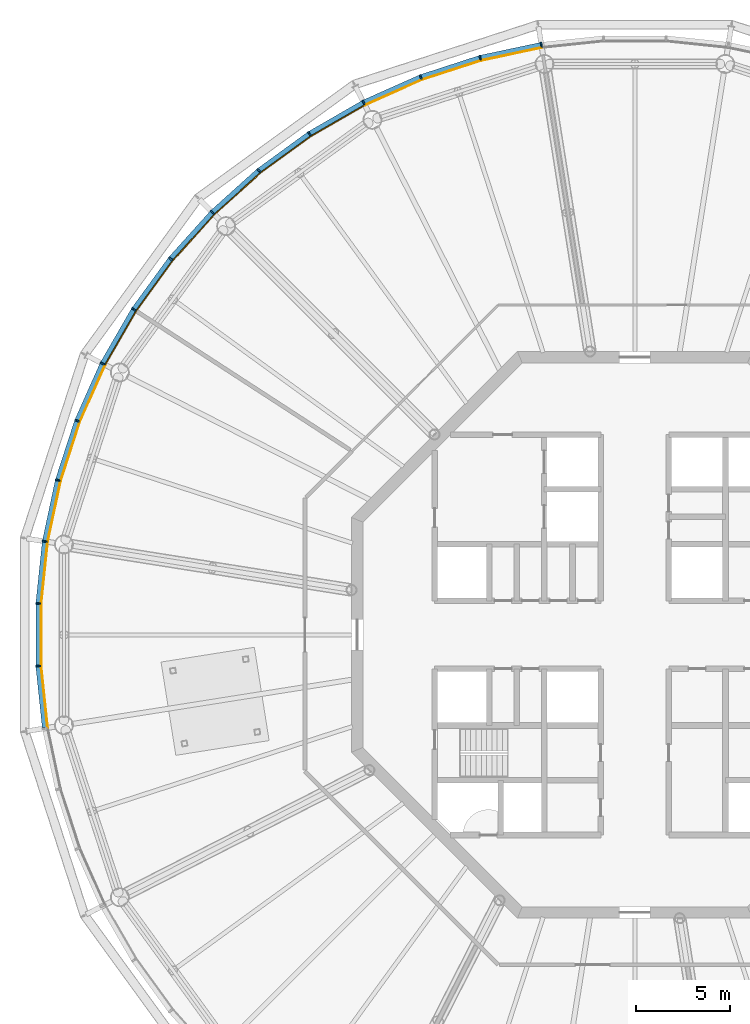
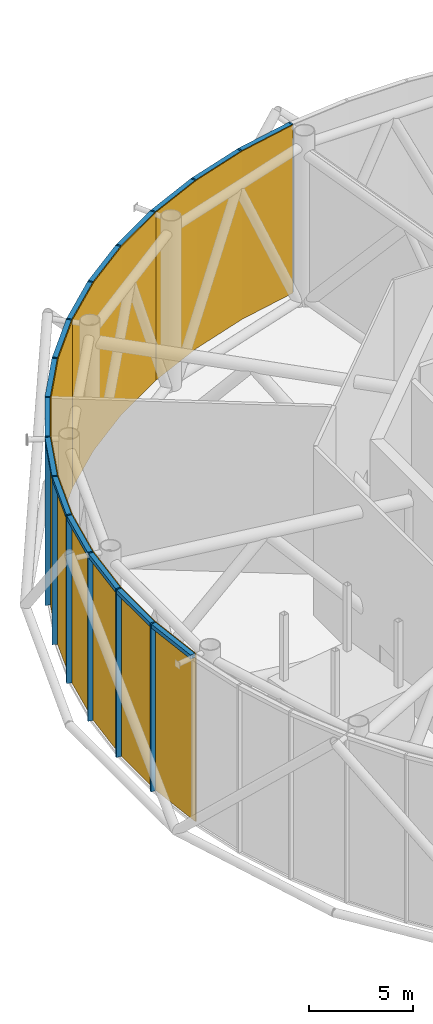
# One storey, part 20 of 23: 30 members, 5 curtain walls.
"""IFC4 building model written with IfcOpenShell, lengths in metres."""

import ifcopenshell
import ifcopenshell.guid

model = None  # the IFC model being written
_history = None  # IfcOwnerHistory: only IFC2X3 demands one
_inside = {}  # id of a spatial element -> (the spatial element, [elements in it])
_under = {}  # id of a project, library or spatial element -> (it, [spatial elements below it])
_declared = {}  # id of a project -> (the project, [libraries it declares])
_typed = {}  # id of a type object -> (the type object, [elements of that type])
_made_of = {}  # id of a material, layer set ... -> (it, [elements and type objects made of it])


def new_model(schema):
    """Start an empty IFC model of exactly this schema.

    Asked for "IFC4X3", IfcOpenShell would pick the latest addendum, in which some entities
    have other attributes; the version numbers below select the first issue.
    IFC2X3 requires an IfcOwnerHistory on every rooted entity: one is made here for all.
    """
    global model, _history
    if schema == "IFC4X3":
        model = ifcopenshell.file(schema_version=(4, 3, 0, 0))
    else:
        model = ifcopenshell.file(schema=schema)
    _inside.clear()
    _under.clear()
    _declared.clear()
    _typed.clear()
    _made_of.clear()
    _history = None
    if model.schema == "IFC2X3":
        org = make("IfcOrganization", Name="unknown")
        user = make(
            "IfcPersonAndOrganization",
            ThePerson=make("IfcPerson", FamilyName="unknown"),
            TheOrganization=org,
        )
        app = make(
            "IfcApplication",
            ApplicationDeveloper=org,
            Version="unknown",
            ApplicationFullName="unknown",
            ApplicationIdentifier="unknown",
        )
        _history = make(
            "IfcOwnerHistory",
            OwningUser=user,
            OwningApplication=app,
            ChangeAction="ADDED",
            CreationDate=0,
        )
    return model


def make(cls, **values):
    """One entity of the class cls with the attributes given. An attribute that is None is left unset."""
    return model.create_entity(
        cls, **{name: value for name, value in values.items() if value is not None}
    )


def rooted(cls, **values):
    """An entity with a GlobalId (a new one), such as an element, a storey or a relation."""
    return make(cls, GlobalId=ifcopenshell.guid.new(), OwnerHistory=_history, **values)


def si_unit(unit_type, name, prefix=None):
    """IfcSIUnit, for example si_unit("LENGTHUNIT", "METRE", prefix="MILLI")."""
    return make("IfcSIUnit", UnitType=unit_type, Prefix=prefix, Name=name)


def assignment(units):
    """IfcUnitAssignment: the units of a project."""
    return None if units is None else make("IfcUnitAssignment", Units=units)


def point(xyz):
    """IfcCartesianPoint."""
    return None if xyz is None else make("IfcCartesianPoint", Coordinates=xyz)


def direction(xyz):
    """IfcDirection."""
    return None if xyz is None else make("IfcDirection", DirectionRatios=xyz)


def frame(location, z_axis=None, x_axis=None):
    """IfcAxis2Placement3D, a coordinate frame: its origin and axes. An axis left out is left unset."""
    return make(
        "IfcAxis2Placement3D",
        Location=point(location),
        Axis=direction(z_axis),
        RefDirection=direction(x_axis),
    )


def frame_2d(location, x_axis=None):
    """IfcAxis2Placement2D, a coordinate frame in the plane: its origin and x axis."""
    return make(
        "IfcAxis2Placement2D", Location=point(location), RefDirection=direction(x_axis)
    )


def origin():
    """The frame at (0, 0, 0) with its axes left unset."""
    return frame((0.0, 0.0, 0.0))


def origin_2d():
    """The frame at (0, 0) in the plane with its x axis left unset."""
    return frame_2d((0.0, 0.0))


def place(relative_to, where):
    """IfcLocalPlacement: puts the frame where relative to a parent placement (None: the world)."""
    return make(
        "IfcLocalPlacement", PlacementRelTo=relative_to, RelativePlacement=where
    )


def context(
    kind, dimensions, precision=None, world=None, true_north=None, identifier=None
):
    """IfcGeometricRepresentationContext, for example the 3D "Model" context."""
    return make(
        "IfcGeometricRepresentationContext",
        ContextIdentifier=identifier,
        ContextType=kind,
        CoordinateSpaceDimension=dimensions,
        Precision=precision,
        WorldCoordinateSystem=world,
        TrueNorth=true_north,
    )


def subcontext(parent, identifier, kind, view, scale=None):
    """IfcGeometricRepresentationSubContext, for example "Body" below "Model"."""
    return make(
        "IfcGeometricRepresentationSubContext",
        ContextIdentifier=identifier,
        ContextType=kind,
        ParentContext=parent,
        TargetScale=scale,
        TargetView=view,
    )


def project(units=None, contexts=None):
    """IfcProject with its units and contexts."""
    return rooted(
        "IfcProject",
        Name="project",
        RepresentationContexts=contexts,
        UnitsInContext=assignment(units),
    )


def spatial(cls, under=None, at=None, **own):
    """A site, building, storey or space (cls), placed at a placement, below another one or the project."""
    s = rooted(cls, ObjectPlacement=at, **own)
    if under is not None:
        _under.setdefault(under.id(), (under, []))[1].append(s)
    return s


def polyline(points):
    """IfcPolyline through the points."""
    return make("IfcPolyline", Points=[point(p) for p in points])


def profile(cls, at=None, kind="AREA", **sizes):
    """A parametric profile (cls). Its sizes go by their IFC names, for example OverallWidth=200.0."""
    return make(cls, ProfileType=kind, Position=at, **sizes)


def rectangle(**sizes):
    """IfcRectangleProfileDef."""
    return profile("IfcRectangleProfileDef", **sizes)


def outline(outer, holes=None, kind="AREA"):
    """IfcArbitraryClosedProfileDef: a profile drawn as a closed curve; with holes, ...WithVoids."""
    if holes is None:
        return make("IfcArbitraryClosedProfileDef", ProfileType=kind, OuterCurve=outer)
    return make(
        "IfcArbitraryProfileDefWithVoids",
        ProfileType=kind,
        OuterCurve=outer,
        InnerCurves=holes,
    )


def extrude(swept, where, along, depth):
    """IfcExtrudedAreaSolid: the profile swept, set in the frame where, extruded along a direction by depth."""
    return make(
        "IfcExtrudedAreaSolid",
        SweptArea=swept,
        Position=where,
        ExtrudedDirection=direction(along),
        Depth=depth,
    )


def shape(context_of_items, identifier, shape_type, items):
    """IfcShapeRepresentation: the items that make up one representation, for example the "Body"."""
    return make(
        "IfcShapeRepresentation",
        ContextOfItems=context_of_items,
        RepresentationIdentifier=identifier,
        RepresentationType=shape_type,
        Items=items,
    )


def material(Name=None, Category=None):
    """IfcMaterial."""
    return make("IfcMaterial", Name=Name, Category=Category)


def layer(
    of_material, thickness, ventilated=None, Name=None, Category=None, Priority=None
):
    """IfcMaterialLayer: one layer of a wall or slab, of a material (None: an air gap)."""
    return make(
        "IfcMaterialLayer",
        Material=of_material,
        LayerThickness=thickness,
        IsVentilated=ventilated,
        Name=Name,
        Category=Category,
        Priority=Priority,
    )


def layer_set(layers, Name=None):
    """IfcMaterialLayerSet."""
    return make("IfcMaterialLayerSet", MaterialLayers=layers, LayerSetName=Name)


def material_profile(
    of_material, cross_section, Name=None, Category=None, Priority=None
):
    """IfcMaterialProfile: a cross section and its material."""
    return make(
        "IfcMaterialProfile",
        Name=Name,
        Material=of_material,
        Profile=cross_section,
        Priority=Priority,
        Category=Category,
    )


def profile_set(profiles, Name=None, composite=None):
    """IfcMaterialProfileSet."""
    return make(
        "IfcMaterialProfileSet",
        Name=Name,
        MaterialProfiles=profiles,
        CompositeProfile=composite,
    )


def made_of(thing, what):
    """Note that an element or type object is made of a material, layer set ...; save() writes the relation."""
    if what is not None:
        _made_of.setdefault(what.id(), (what, []))[1].append(thing)
    return thing


def type_object(cls, material=None, **own):
    """A type object (cls), such as IfcWallType, which elements share."""
    return made_of(rooted(cls, **own), material)


def element(
    cls,
    number,
    at=None,
    inside=None,
    cuts=None,
    type_object=None,
    material=None,
    context=None,
    identifier="Body",
    shape_type=None,
    held_by="IfcProductDefinitionShape",
    body=None,
    shapes=None,
    **own,
):
    """One element of the class cls, such as IfcWall. Its Tag is "e" and its number.

    at: its placement. inside: the storey or other place that contains it. cuts: it is an
    opening in that element (IfcRelVoidsElement). A single representation is given by context,
    identifier, shape_type and body (its items); several are given by shapes. held_by: the class
    of the entity that holds the representations. save() writes the other relations.
    """
    e = rooted(cls, Tag="e%d" % number, ObjectPlacement=at, **own)
    if body is not None:
        shapes = [shape(context, identifier, shape_type, body)]
    if shapes is not None:
        e.Representation = make(held_by, Representations=shapes)
    if inside is not None:
        _inside.setdefault(inside.id(), (inside, []))[1].append(e)
    if cuts is not None:
        rooted(
            "IfcRelVoidsElement", RelatingBuildingElement=cuts, RelatedOpeningElement=e
        )
    if type_object is not None:
        _typed.setdefault(type_object.id(), (type_object, []))[1].append(e)
    return made_of(e, material)


def aggregate(whole, parts):
    """IfcRelAggregates: a whole, such as a stair, and the parts it consists of."""
    return rooted("IfcRelAggregates", RelatingObject=whole, RelatedObjects=parts)


def save(model, path):
    """Write the relations noted so far, then the file.

    IfcRelAggregates (storeys below a building ...), IfcRelContainedInSpatialStructure (elements
    in a storey), IfcRelDefinesByType, IfcRelAssociatesMaterial and IfcRelDeclares: one each for
    every whole, place, type object, material and project.
    """
    for whole, parts in _under.values():
        aggregate(whole, parts)
    for where, things in _inside.values():
        rooted(
            "IfcRelContainedInSpatialStructure",
            RelatedElements=things,
            RelatingStructure=where,
        )
    for kind, things in _typed.values():
        rooted("IfcRelDefinesByType", RelatedObjects=things, RelatingType=kind)
    for what, things in _made_of.values():
        rooted("IfcRelAssociatesMaterial", RelatedObjects=things, RelatingMaterial=what)
    for by, libraries in _declared.values():
        rooted("IfcRelDeclares", RelatingContext=by, RelatedDefinitions=libraries)
    model.write(path)


model = new_model("IFC4")

# Units and contexts
model_context = context("Model", 3, precision=1e-05, world=origin(), true_north=direction((0.0, 1.0)))
body_context = subcontext(model_context, "Body", "Model", "MODEL_VIEW")
ifc_project = project(units=[si_unit("LENGTHUNIT", "METRE"), si_unit("AREAUNIT", "SQUARE_METRE"), si_unit("VOLUMEUNIT", "CUBIC_METRE"), si_unit("PLANEANGLEUNIT", "RADIAN"), si_unit("MASSUNIT", "GRAM", prefix="KILO")], contexts=[model_context])

# Member
ifc_material_1 = material(Name="Anodised aluminium", Category="aluminium")
ifc_material_profile_1 = material_profile(ifc_material_1, rectangle(XDim=0.0849609375, YDim=0.260009765625, at=origin_2d()), Name="Mullion 85 x 260 mm anodised aluminium")
ifc_profile_set_1 = profile_set([ifc_material_profile_1], Name="Anodised aluminium")
member_type_1 = type_object("IfcMemberType", Name="Mullion 85 x 260 mm anodised aluminium", PredefinedType="MULLION", material=ifc_profile_set_1)
site_placement = place(None, origin())
building_placement = place(site_placement, origin())
storey_placement = place(building_placement, frame((0.0, 0.0, 392.0)))
member_1_placement = place(storey_placement, frame((85.052001953125, 111.240478515625, 0.0), z_axis=(0.0, 0.0, 1.0), x_axis=(-0.987688340595, -0.15643446504, 0.0)))
member_1 = element("IfcMember", 1, at=member_1_placement, type_object=member_type_1, Name="MULLION L91-15", PredefinedType="MULLION", context=body_context, shape_type="SweptSolid", body=[
    extrude(rectangle(XDim=0.0849609375, YDim=0.260009765625, at=origin_2d()), origin(), (0.0, 0.0, 1.0), 9.85009765625),
])

member_2_placement = place(storey_placement, frame((81.8134765625, 110.55224609375, 0.0), z_axis=(0.0, 0.0, 1.0), x_axis=(-0.965925826289, -0.258819045103, 0.0)))
member_2 = element("IfcMember", 2, at=member_2_placement, type_object=member_type_1, Name="MULLION L91-16", PredefinedType="MULLION", context=body_context, shape_type="SweptSolid", body=[
    extrude(rectangle(XDim=0.0849609375, YDim=0.260009765625, at=origin_2d()), origin(), (0.0, 0.0, 1.0), 9.85009765625),
])

member_3_placement = place(storey_placement, frame((78.664794921875, 109.529052734375, 0.0), z_axis=(0.0, 0.0, 1.0), x_axis=(-0.933580426497, -0.358367949545, 0.0)))
member_3 = element("IfcMember", 3, at=member_3_placement, type_object=member_type_1, Name="MULLION L91-17", PredefinedType="MULLION", context=body_context, shape_type="SweptSolid", body=[
    extrude(rectangle(XDim=0.0849609375, YDim=0.260009765625, at=origin_2d()), origin(), (0.0, 0.0, 1.0), 9.85009765625),
])

member_4_placement = place(storey_placement, frame((75.640380859375, 108.1826171875, 0.0), z_axis=(0.0, 0.0, 1.0), x_axis=(-0.891006524188, -0.45399049974, 0.0)))
member_4 = element("IfcMember", 4, at=member_4_placement, type_object=member_type_1, Name="MULLION L91-18", PredefinedType="MULLION", context=body_context, shape_type="SweptSolid", body=[
    extrude(rectangle(XDim=0.0849609375, YDim=0.260009765625, at=origin_2d()), origin(), (0.0, 0.0, 1.0), 9.85009765625),
])

member_5_placement = place(storey_placement, frame((72.77294921875, 106.527099609375, 0.0), z_axis=(0.0, 0.0, 1.0), x_axis=(-0.838670567945, -0.544639035015, 0.0)))
member_5 = element("IfcMember", 5, at=member_5_placement, type_object=member_type_1, Name="MULLION L91-19", PredefinedType="MULLION", context=body_context, shape_type="SweptSolid", body=[
    extrude(rectangle(XDim=0.0849609375, YDim=0.260009765625, at=origin_2d()), origin(), (0.0, 0.0, 1.0), 9.85009765625),
])

member_6_placement = place(storey_placement, frame((70.094482421875, 104.5810546875, 0.0), z_axis=(0.0, 0.0, 1.0), x_axis=(-0.777145961457, -0.62932039105, 0.0)))
member_6 = element("IfcMember", 6, at=member_6_placement, type_object=member_type_1, Name="MULLION L91-20", PredefinedType="MULLION", context=body_context, shape_type="SweptSolid", body=[
    extrude(rectangle(XDim=0.0849609375, YDim=0.260009765625, at=origin_2d()), origin(), (0.0, 0.0, 1.0), 9.85009765625),
])

member_7_placement = place(storey_placement, frame((67.63427734375, 102.36572265625, 0.0), z_axis=(0.0, 0.0, 1.0), x_axis=(-0.707106781187, -0.707106781187, 0.0)))
member_7 = element("IfcMember", 7, at=member_7_placement, type_object=member_type_1, Name="MULLION L91-21", PredefinedType="MULLION", context=body_context, shape_type="SweptSolid", body=[
    extrude(rectangle(XDim=0.0849609375, YDim=0.260009765625, at=origin_2d()), origin(), (0.0, 0.0, 1.0), 9.85009765625),
])

member_8_placement = place(storey_placement, frame((65.4189453125, 99.905517578125, 0.0), z_axis=(0.0, 0.0, 1.0), x_axis=(-0.62932039105, -0.777145961457, 0.0)))
member_8 = element("IfcMember", 8, at=member_8_placement, type_object=member_type_1, Name="MULLION L91-22", PredefinedType="MULLION", context=body_context, shape_type="SweptSolid", body=[
    extrude(rectangle(XDim=0.0849609375, YDim=0.260009765625, at=origin_2d()), origin(), (0.0, 0.0, 1.0), 9.85009765625),
])

member_9_placement = place(storey_placement, frame((63.472900390625, 97.22705078125, 0.0), z_axis=(0.0, 0.0, 1.0), x_axis=(-0.544639035015, -0.838670567945, 0.0)))
member_9 = element("IfcMember", 9, at=member_9_placement, type_object=member_type_1, Name="MULLION L91-23", PredefinedType="MULLION", context=body_context, shape_type="SweptSolid", body=[
    extrude(rectangle(XDim=0.0849609375, YDim=0.260009765625, at=origin_2d()), origin(), (0.0, 0.0, 1.0), 9.85009765625),
])

member_10_placement = place(storey_placement, frame((61.8173828125, 94.359619140625, 0.0), z_axis=(0.0, 0.0, 1.0), x_axis=(-0.45399049974, -0.891006524188, 0.0)))
member_10 = element("IfcMember", 10, at=member_10_placement, type_object=member_type_1, Name="MULLION L91-24", PredefinedType="MULLION", context=body_context, shape_type="SweptSolid", body=[
    extrude(rectangle(XDim=0.0849609375, YDim=0.260009765625, at=origin_2d()), origin(), (0.0, 0.0, 1.0), 9.85009765625),
])

member_11_placement = place(storey_placement, frame((60.470947265625, 91.335205078125, 0.0), z_axis=(0.0, 0.0, 1.0), x_axis=(-0.358367949545, -0.933580426497, 0.0)))
member_11 = element("IfcMember", 11, at=member_11_placement, type_object=member_type_1, Name="MULLION L91-25", PredefinedType="MULLION", context=body_context, shape_type="SweptSolid", body=[
    extrude(rectangle(XDim=0.0849609375, YDim=0.260009765625, at=origin_2d()), origin(), (0.0, 0.0, 1.0), 9.85009765625),
])

member_12_placement = place(storey_placement, frame((59.44775390625, 88.1865234375, 0.0), z_axis=(0.0, 0.0, 1.0), x_axis=(-0.258819045103, -0.965925826289, 0.0)))
member_12 = element("IfcMember", 12, at=member_12_placement, type_object=member_type_1, Name="MULLION L91-26", PredefinedType="MULLION", context=body_context, shape_type="SweptSolid", body=[
    extrude(rectangle(XDim=0.0849609375, YDim=0.260009765625, at=origin_2d()), origin(), (0.0, 0.0, 1.0), 9.85009765625),
])

member_13_placement = place(storey_placement, frame((58.759521484375, 84.947998046875, 0.0), z_axis=(0.0, 0.0, 1.0), x_axis=(-0.15643446504, -0.987688340595, 0.0)))
member_13 = element("IfcMember", 13, at=member_13_placement, type_object=member_type_1, Name="MULLION L91-27", PredefinedType="MULLION", context=body_context, shape_type="SweptSolid", body=[
    extrude(rectangle(XDim=0.0849609375, YDim=0.260009765625, at=origin_2d()), origin(), (0.0, 0.0, 1.0), 9.85009765625),
])

member_14_placement = place(storey_placement, frame((58.413330078125, 81.6552734375, 0.0), z_axis=(0.0, 0.0, 1.0), x_axis=(-0.052335956243, -0.998629534755, 0.0)))
member_14 = element("IfcMember", 14, at=member_14_placement, type_object=member_type_1, Name="MULLION L91-28", PredefinedType="MULLION", context=body_context, shape_type="SweptSolid", body=[
    extrude(rectangle(XDim=0.0849609375, YDim=0.260009765625, at=origin_2d()), origin(), (0.0, 0.0, 1.0), 9.85009765625),
])

member_15_placement = place(storey_placement, frame((58.413330078125, 78.3447265625, 0.0), z_axis=(0.0, 0.0, 1.0), x_axis=(0.052335956243, -0.998629534755, 0.0)))
member_15 = element("IfcMember", 15, at=member_15_placement, type_object=member_type_1, Name="MULLION L91-29", PredefinedType="MULLION", context=body_context, shape_type="SweptSolid", body=[
    extrude(rectangle(XDim=0.0849609375, YDim=0.260009765625, at=origin_2d()), origin(), (0.0, 0.0, 1.0), 9.85009765625),
])

ifc_material_2 = material(Name="Anodised aluminium", Category="aluminium")
ifc_material_profile_2 = material_profile(ifc_material_2, rectangle(XDim=0.260009765625, YDim=0.22998046875, at=origin_2d()), Name="Transom 230 x 260 mm anodised aluminium")
ifc_profile_set_2 = profile_set([ifc_material_profile_2], Name="Anodised aluminium")
member_type_2 = type_object("IfcMemberType", Name="Transom 230 x 260 mm anodised aluminium", PredefinedType="USERDEFINED", material=ifc_profile_set_2)
member_16_placement = place(storey_placement, frame((85.003662109375, 111.23046875, 9.735107421875), z_axis=(-0.978153634896, -0.207883300291, 0.0), x_axis=(0.207883300291, -0.978153634896, 0.0)))
member_16 = element("IfcMember", 16, at=member_16_placement, type_object=member_type_2, Name="TRANSOM L91-15", ObjectType="TRANSOM", PredefinedType="USERDEFINED", context=body_context, shape_type="SweptSolid", body=[
    extrude(rectangle(XDim=0.260009765625, YDim=0.22998046875, at=origin_2d()), origin(), (0.0, 0.0, 1.0), 3.2119140625),
])

member_17_placement = place(storey_placement, frame((81.7666015625, 110.537109375, 9.735107421875), z_axis=(-0.951050265207, -0.309036232585, 0.0), x_axis=(0.309036232585, -0.951050265207, 0.0)))
member_17 = element("IfcMember", 17, at=member_17_placement, type_object=member_type_2, Name="TRANSOM L91-16", ObjectType="TRANSOM", PredefinedType="USERDEFINED", context=body_context, shape_type="SweptSolid", body=[
    extrude(rectangle(XDim=0.260009765625, YDim=0.22998046875, at=origin_2d()), origin(), (0.0, 0.0, 1.0), 3.212158203125),
])

member_18_placement = place(storey_placement, frame((78.61962890625, 109.50927734375, 9.735107421875), z_axis=(-0.913522963478, -0.406787162038, 0.0), x_axis=(0.406787162038, -0.913522963478, 0.0)))
member_18 = element("IfcMember", 18, at=member_18_placement, type_object=member_type_2, Name="TRANSOM L91-17", ObjectType="TRANSOM", PredefinedType="USERDEFINED", context=body_context, shape_type="SweptSolid", body=[
    extrude(rectangle(XDim=0.260009765625, YDim=0.22998046875, at=origin_2d()), origin(), (0.0, 0.0, 1.0), 3.212158203125),
])

member_19_placement = place(storey_placement, frame((75.597412109375, 108.157958984375, 9.735107421875), z_axis=(-0.866036230703, -0.499981246758, 0.0), x_axis=(0.499981246758, -0.866036230703, 0.0)))
member_19 = element("IfcMember", 19, at=member_19_placement, type_object=member_type_2, Name="TRANSOM L91-18", ObjectType="TRANSOM", PredefinedType="USERDEFINED", context=body_context, shape_type="SweptSolid", body=[
    extrude(rectangle(XDim=0.260009765625, YDim=0.22998046875, at=origin_2d()), origin(), (0.0, 0.0, 1.0), 3.2119140625),
])

member_20_placement = place(storey_placement, frame((72.733154296875, 106.498291015625, 9.735107421875), z_axis=(-0.809054768394, -0.587733257303, 0.0), x_axis=(0.587733257303, -0.809054768394, 0.0)))
member_20 = element("IfcMember", 20, at=member_20_placement, type_object=member_type_2, Name="TRANSOM L91-19", ObjectType="TRANSOM", PredefinedType="USERDEFINED", context=body_context, shape_type="SweptSolid", body=[
    extrude(rectangle(XDim=0.260009765625, YDim=0.22998046875, at=origin_2d()), origin(), (0.0, 0.0, 1.0), 3.212158203125),
])

member_21_placement = place(storey_placement, frame((70.057861328125, 104.54833984375, 9.735107421875), z_axis=(-0.743150522558, -0.669124279055, 0.0), x_axis=(0.669124279055, -0.743150522558, 0.0)))
member_21 = element("IfcMember", 21, at=member_21_placement, type_object=member_type_2, Name="TRANSOM L91-20", ObjectType="TRANSOM", PredefinedType="USERDEFINED", context=body_context, shape_type="SweptSolid", body=[
    extrude(rectangle(XDim=0.260009765625, YDim=0.22998046875, at=origin_2d()), origin(), (0.0, 0.0, 1.0), 3.212158203125),
])

member_22_placement = place(storey_placement, frame((67.60107421875, 102.329345703125, 9.735107421875), z_axis=(-0.669124279055, -0.743150522558, 0.0), x_axis=(0.743150522558, -0.669124279055, 0.0)))
member_22 = element("IfcMember", 22, at=member_22_placement, type_object=member_type_2, Name="TRANSOM L91-21", ObjectType="TRANSOM", PredefinedType="USERDEFINED", context=body_context, shape_type="SweptSolid", body=[
    extrude(rectangle(XDim=0.260009765625, YDim=0.22998046875, at=origin_2d()), origin(), (0.0, 0.0, 1.0), 3.212158203125),
])

member_23_placement = place(storey_placement, frame((65.3896484375, 99.86572265625, 9.735107421875), z_axis=(-0.587733257303, -0.809054768394, 0.0), x_axis=(0.809054768394, -0.587733257303, 0.0)))
member_23 = element("IfcMember", 23, at=member_23_placement, type_object=member_type_2, Name="TRANSOM L91-22", ObjectType="TRANSOM", PredefinedType="USERDEFINED", context=body_context, shape_type="SweptSolid", body=[
    extrude(rectangle(XDim=0.260009765625, YDim=0.22998046875, at=origin_2d()), origin(), (0.0, 0.0, 1.0), 3.212158203125),
])

member_24_placement = place(storey_placement, frame((63.447998046875, 97.184326171875, 9.735107421875), z_axis=(-0.499981246758, -0.866036230703, 0.0), x_axis=(0.866036230703, -0.499981246758, 0.0)))
member_24 = element("IfcMember", 24, at=member_24_placement, type_object=member_type_2, Name="TRANSOM L91-23", ObjectType="TRANSOM", PredefinedType="USERDEFINED", context=body_context, shape_type="SweptSolid", body=[
    extrude(rectangle(XDim=0.260009765625, YDim=0.22998046875, at=origin_2d()), origin(), (0.0, 0.0, 1.0), 3.2119140625),
])

member_25_placement = place(storey_placement, frame((61.79736328125, 94.314697265625, 9.735107421875), z_axis=(-0.406787162038, -0.913522963478, 0.0), x_axis=(0.913522963478, -0.406787162038, 0.0)))
member_25 = element("IfcMember", 25, at=member_25_placement, type_object=member_type_2, Name="TRANSOM L91-24", ObjectType="TRANSOM", PredefinedType="USERDEFINED", context=body_context, shape_type="SweptSolid", body=[
    extrude(rectangle(XDim=0.260009765625, YDim=0.22998046875, at=origin_2d()), origin(), (0.0, 0.0, 1.0), 3.212158203125),
])

member_26_placement = place(storey_placement, frame((60.45556640625, 91.288330078125, 9.735107421875), z_axis=(-0.309036232585, -0.951050265207, 0.0), x_axis=(0.951050265207, -0.309036232585, 0.0)))
member_26 = element("IfcMember", 26, at=member_26_placement, type_object=member_type_2, Name="TRANSOM L91-25", ObjectType="TRANSOM", PredefinedType="USERDEFINED", context=body_context, shape_type="SweptSolid", body=[
    extrude(rectangle(XDim=0.260009765625, YDim=0.22998046875, at=origin_2d()), origin(), (0.0, 0.0, 1.0), 3.212158203125),
])

member_27_placement = place(storey_placement, frame((59.437255859375, 88.13818359375, 9.735107421875), z_axis=(-0.207883300291, -0.978153634896, 0.0), x_axis=(0.978153634896, -0.207883300291, 0.0)))
member_27 = element("IfcMember", 27, at=member_27_placement, type_object=member_type_2, Name="TRANSOM L91-26", ObjectType="TRANSOM", PredefinedType="USERDEFINED", context=body_context, shape_type="SweptSolid", body=[
    extrude(rectangle(XDim=0.260009765625, YDim=0.22998046875, at=origin_2d()), origin(), (0.0, 0.0, 1.0), 3.2119140625),
])

member_28_placement = place(storey_placement, frame((58.754150390625, 84.89892578125, 9.735107421875), z_axis=(-0.104581917863, -0.994516275611, 0.0), x_axis=(0.994516275611, -0.104581917863, 0.0)))
member_28 = element("IfcMember", 28, at=member_28_placement, type_object=member_type_2, Name="TRANSOM L91-27", ObjectType="TRANSOM", PredefinedType="USERDEFINED", context=body_context, shape_type="SweptSolid", body=[
    extrude(rectangle(XDim=0.260009765625, YDim=0.22998046875, at=origin_2d()), origin(), (0.0, 0.0, 1.0), 3.212158203125),
])

member_29_placement = place(storey_placement, frame((58.4130859375, 81.606201171875, 9.735107421875), z_axis=(0.0, -1.0, 0.0), x_axis=(1.0, 0.0, 0.0)))
member_29 = element("IfcMember", 29, at=member_29_placement, type_object=member_type_2, Name="TRANSOM L91-28", ObjectType="TRANSOM", PredefinedType="USERDEFINED", context=body_context, shape_type="SweptSolid", body=[
    extrude(rectangle(XDim=0.260009765625, YDim=0.22998046875, at=origin_2d()), origin(), (0.0, 0.0, 1.0), 3.21240234375),
])

member_30_placement = place(storey_placement, frame((58.418212890625, 78.295654296875, 9.735107421875), z_axis=(0.104581917863, -0.994516275611, 0.0), x_axis=(0.994516275611, 0.104581917863, 0.0)))
member_30 = element("IfcMember", 30, at=member_30_placement, type_object=member_type_2, Name="TRANSOM L91-29", ObjectType="TRANSOM", PredefinedType="USERDEFINED", context=body_context, shape_type="SweptSolid", body=[
    extrude(rectangle(XDim=0.260009765625, YDim=0.22998046875, at=origin_2d()), origin(), (0.0, 0.0, 1.0), 3.212158203125),
])

# Site, building, storey
site = spatial("IfcSite", under=ifc_project, at=site_placement, CompositionType="ELEMENT")
building = spatial("IfcBuilding", under=site, at=building_placement, Name="Entoto Ring Tower", CompositionType="ELEMENT")
storey = spatial("IfcBuildingStorey", under=building, at=storey_placement, Name="L91", CompositionType="ELEMENT", Elevation=392.0)

# Curtain wall
ifc_material_3 = material(Name="Clear low-iron glass", Category="glass")
ifc_layer = layer(ifc_material_3, 0.048095703125)
ifc_layer_set = layer_set([ifc_layer], Name="Clear low-iron glass")
curtain_wall_type = type_object("IfcCurtainWallType", Name="Curtain wall system CW9 glazing 48 mm", PredefinedType="NOTDEFINED", material=ifc_layer_set)
curtain_wall_1_placement = place(storey_placement, origin())
curtain_wall_1 = element("IfcCurtainWall", 31, at=curtain_wall_1_placement, inside=storey, type_object=curtain_wall_type, Name="CW9 L91-06", PredefinedType="NOTDEFINED", context=body_context, shape_type="SweptSolid", body=[
    extrude(outline(polyline([(85.072265625, 111.1123046875), (81.84716796875, 110.4267578125), (78.71142578125, 109.40771484375), (75.69921875, 108.066650390625), (75.72119140625, 108.02392578125), (78.728515625, 109.36279296875), (81.859619140625, 110.380126953125), (85.079833984375, 111.064697265625), (85.072265625, 111.1123046875)])), origin(), (0.0, 0.0, 1.0), 9.85009765625),
])

aggregate(curtain_wall_1, [member_1, member_2, member_3, member_16, member_17, member_18])

curtain_wall_2_placement = place(storey_placement, origin())
curtain_wall_2 = element("IfcCurtainWall", 32, at=curtain_wall_2_placement, inside=storey, type_object=curtain_wall_type, Name="CW9 L91-07", PredefinedType="NOTDEFINED", context=body_context, shape_type="SweptSolid", body=[
    extrude(outline(polyline([(75.69921875, 108.066650390625), (72.84375, 106.418212890625), (70.176513671875, 104.47998046875), (67.72607421875, 102.27392578125), (67.760009765625, 102.239990234375), (70.20654296875, 104.442626953125), (72.8701171875, 106.3779296875), (75.72119140625, 108.02392578125), (75.69921875, 108.066650390625)])), origin(), (0.0, 0.0, 1.0), 9.85009765625),
])

aggregate(curtain_wall_2, [member_4, member_5, member_6, member_19, member_20, member_21])

curtain_wall_3_placement = place(storey_placement, origin())
curtain_wall_3 = element("IfcCurtainWall", 33, at=curtain_wall_3_placement, inside=storey, type_object=curtain_wall_type, Name="CW9 L91-08", PredefinedType="NOTDEFINED", context=body_context, shape_type="SweptSolid", body=[
    extrude(outline(polyline([(67.72607421875, 102.27392578125), (65.52001953125, 99.823486328125), (63.581787109375, 97.15625), (61.933349609375, 94.30078125), (61.97607421875, 94.27880859375), (63.6220703125, 97.1298828125), (65.557373046875, 99.79345703125), (67.760009765625, 102.239990234375), (67.72607421875, 102.27392578125)])), origin(), (0.0, 0.0, 1.0), 9.85009765625),
])

aggregate(curtain_wall_3, [member_7, member_8, member_9, member_22, member_23, member_24])

curtain_wall_4_placement = place(storey_placement, origin())
curtain_wall_4 = element("IfcCurtainWall", 34, at=curtain_wall_4_placement, inside=storey, type_object=curtain_wall_type, Name="CW9 L91-09", PredefinedType="NOTDEFINED", context=body_context, shape_type="SweptSolid", body=[
    extrude(outline(polyline([(61.933349609375, 94.30078125), (60.59228515625, 91.28857421875), (59.5732421875, 88.15283203125), (58.8876953125, 84.927734375), (58.935302734375, 84.920166015625), (59.619873046875, 88.140380859375), (60.63720703125, 91.271484375), (61.97607421875, 94.27880859375), (61.933349609375, 94.30078125)])), origin(), (0.0, 0.0, 1.0), 9.85009765625),
])

aggregate(curtain_wall_4, [member_10, member_11, member_12, member_25, member_26, member_27])

curtain_wall_5_placement = place(storey_placement, origin())
curtain_wall_5 = element("IfcCurtainWall", 35, at=curtain_wall_5_placement, inside=storey, type_object=curtain_wall_type, Name="CW9 L91-10", PredefinedType="NOTDEFINED", context=body_context, shape_type="SweptSolid", body=[
    extrude(outline(polyline([(58.8876953125, 84.927734375), (58.543212890625, 81.648681640625), (58.543212890625, 78.351318359375), (58.8876953125, 75.072265625), (58.935302734375, 75.079833984375), (58.591064453125, 78.35400390625), (58.591064453125, 81.64599609375), (58.935302734375, 84.920166015625), (58.8876953125, 84.927734375)])), origin(), (0.0, 0.0, 1.0), 9.85009765625),
])

aggregate(curtain_wall_5, [member_13, member_14, member_15, member_28, member_29, member_30])

save(model, "model.ifc")
